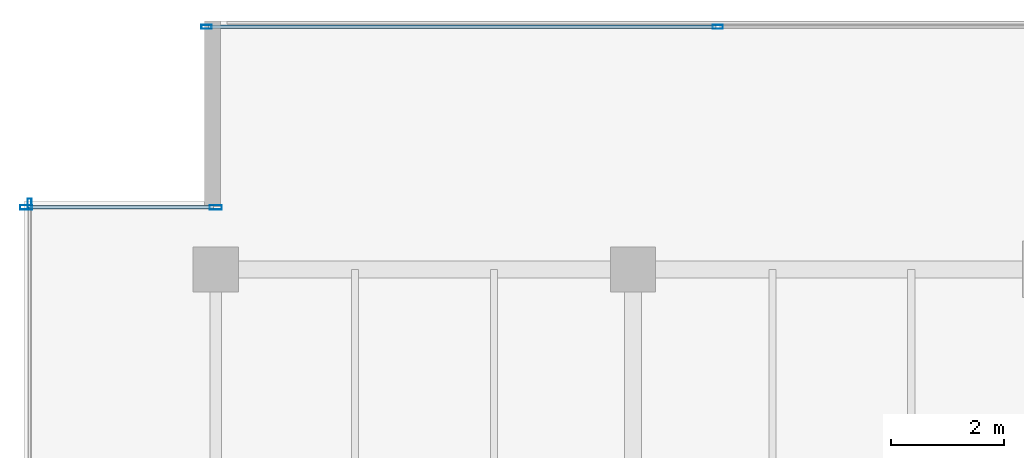
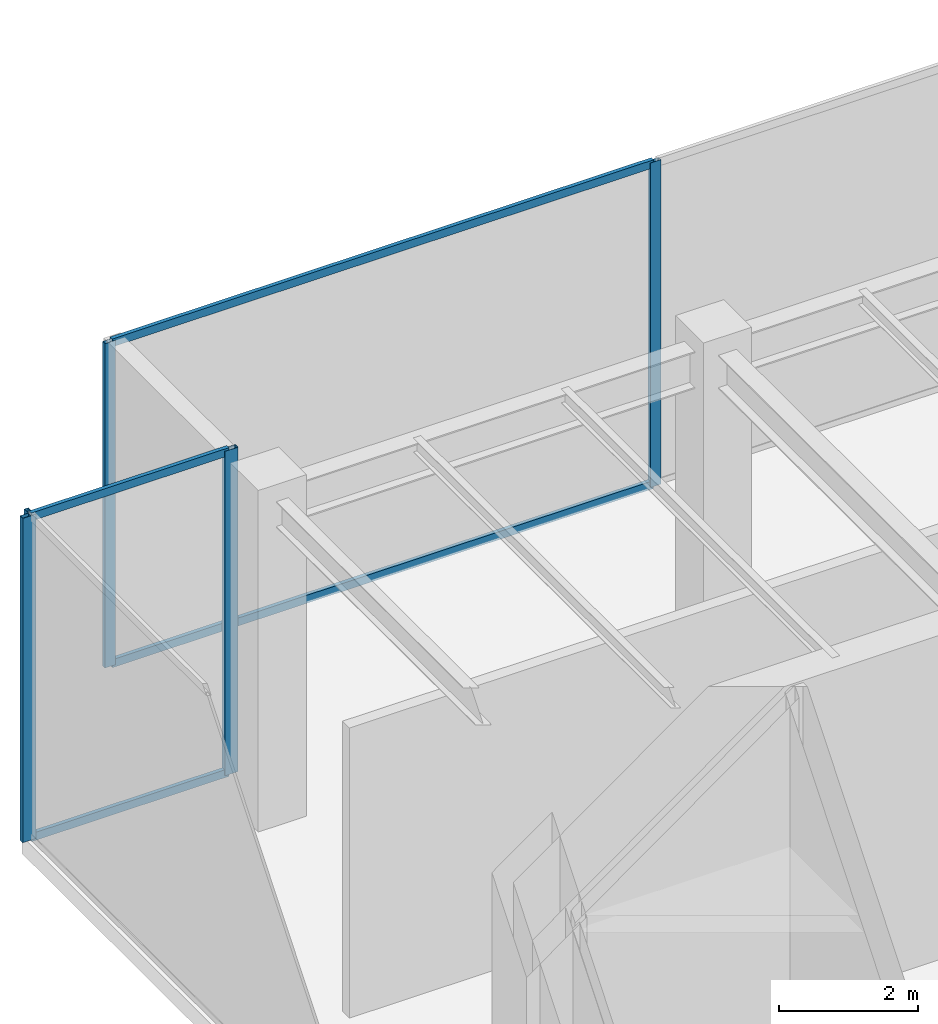
# One storey, part 13 of 30: 9 members, 3 elements without a shape of their own.
"""IFC4 building model written with IfcOpenShell, lengths in metres."""

from ifc_helpers import new_model, si_unit, direction, frame, origin, origin_2d, place, context, subcontext, project, spatial, hollow_rectangle, extrude, source, transform, mapped, material, layer, layer_set, material_profile, profile_set, type_object, type_shapes, element, aggregate, save


model = new_model("IFC4")

# Units and contexts
model_context = context("Model", 3, precision=1e-05, world=origin(), true_north=direction((0.0, 1.0)))
body_context = subcontext(model_context, "Body", "Model", "MODEL_VIEW")
ifc_project = project(units=[si_unit("LENGTHUNIT", "METRE"), si_unit("AREAUNIT", "SQUARE_METRE"), si_unit("VOLUMEUNIT", "CUBIC_METRE"), si_unit("PLANEANGLEUNIT", "RADIAN"), si_unit("MASSUNIT", "GRAM", prefix="KILO")], contexts=[model_context])

# Site, building, storey
site_placement = place(None, origin())
site = spatial("IfcSite", under=ifc_project, at=site_placement, CompositionType="ELEMENT")
building_placement = place(site_placement, origin())
building = spatial("IfcBuilding", under=site, at=building_placement, Name="Haelvirn Gate Laboratories", CompositionType="ELEMENT")
storey_placement = place(building_placement, frame((0.0, 0.0, 291.60009765625)))
storey = spatial("IfcBuildingStorey", under=building, at=storey_placement, Name="L70", CompositionType="ELEMENT", Elevation=291.60009765625)

# Curtain wall, members
ifc_material_1 = material(Name="Anodised bronze unitised aluminium & triple low-E glass", Category="aluminium")
ifc_layer_1 = layer(ifc_material_1, 0.181884765625, Name="CW-SYS-5")
ifc_layer_set_1 = layer_set([ifc_layer_1], Name="Anodised bronze unitised aluminium & triple low-E glass")
curtain_wall_type_1 = type_object("IfcCurtainWallType", Name="CW-SYS-5", PredefinedType="NOTDEFINED", material=ifc_layer_set_1)
curtain_wall_1_placement = place(storey_placement, origin())
curtain_wall_1 = element("IfcCurtainWall", 1, at=curtain_wall_1_placement, inside=storey, type_object=curtain_wall_type_1, Name="L70 Unitised Curtain Wall CW-L70-P0-E04-1", PredefinedType="NOTDEFINED")
ifc_material_2 = material(Name="Extruded aluminium 6063-T6 (anodised bronze)", Category="aluminium")
ifc_material_profile_1 = material_profile(ifc_material_2, hollow_rectangle(XDim=0.06494140625, YDim=0.139892578125, WallThickness=0.00390625, at=origin_2d()), Name="CWT-140x65x4")
ifc_profile_set_1 = profile_set([ifc_material_profile_1], Name="Extruded aluminium 6063-T6 (anodised bronze)")
member_type_1 = type_object("IfcMemberType", Name="CWT-T140", PredefinedType="USERDEFINED", material=ifc_profile_set_1)
shared_shape_1 = source(origin(), body_context, "Body", "SweptSolid", [
    extrude(hollow_rectangle(XDim=0.06494140625, YDim=0.139892578125, WallThickness=0.00390625, at=origin_2d()), origin(), (0.0, 0.0, 1.0), 3.280029296875),
])
member_1_placement = place(storey_placement, frame((4.080078125, 42.699951171875, 0.032470703125), z_axis=(1.0, 0.0, 0.0), x_axis=(0.0, 1.0, 0.0)))
member_1 = element("IfcMember", 2, at=member_1_placement, type_object=member_type_1, Name="CW5 transom 1.1", ObjectType="TRANSOM", PredefinedType="USERDEFINED", context=body_context, shape_type="MappedRepresentation", body=[
    mapped(shared_shape_1, transform((0.0, 0.0, 0.0), scale=1.0)),
])
member_2_placement = place(storey_placement, frame((4.080078125, 42.699951171875, 5.66748046875), z_axis=(1.0, 0.0, 0.0), x_axis=(0.0, 1.0, 0.0)))
member_2 = element("IfcMember", 3, at=member_2_placement, type_object=member_type_1, Name="CW5 transom 1.2", ObjectType="TRANSOM", PredefinedType="USERDEFINED", context=body_context, shape_type="MappedRepresentation", body=[
    mapped(shared_shape_1, transform((0.0, 0.0, 0.0), scale=1.0)),
])

ifc_layer_2 = layer(ifc_material_1, 0.176025390625, Name="CW-SYS-4")
ifc_layer_set_2 = layer_set([ifc_layer_2], Name="Anodised bronze unitised aluminium & triple low-E glass")
curtain_wall_type_2 = type_object("IfcCurtainWallType", Name="CW-SYS-4", PredefinedType="NOTDEFINED", material=ifc_layer_set_2)
curtain_wall_2_placement = place(storey_placement, origin())
curtain_wall_2 = element("IfcCurtainWall", 4, at=curtain_wall_2_placement, inside=storey, type_object=curtain_wall_type_2, Name="L70 Unitised Curtain Wall CW-L70-P0-E02-1", PredefinedType="NOTDEFINED")
shared_shape_2 = source(origin(), body_context, "Body", "SweptSolid", [
    extrude(hollow_rectangle(XDim=0.06494140625, YDim=0.139892578125, WallThickness=0.00390625, at=origin_2d()), origin(), (0.0, 0.0, 1.0), 8.994873046875),
])
type_shapes(member_type_1, [shared_shape_1, shared_shape_2])
member_3_placement = place(storey_placement, frame((7.27001953125, 45.89990234375, 0.032470703125), z_axis=(1.0, 0.0, 0.0), x_axis=(0.0, 1.0, 0.0)))
member_3 = element("IfcMember", 5, at=member_3_placement, type_object=member_type_1, Name="CW4 transom 1.1", ObjectType="TRANSOM", PredefinedType="USERDEFINED", context=body_context, shape_type="MappedRepresentation", body=[
    mapped(shared_shape_2, transform((0.0, 0.0, 0.0), scale=1.0)),
])
member_4_placement = place(storey_placement, frame((7.27001953125, 45.89990234375, 5.66748046875), z_axis=(1.0, 0.0, 0.0), x_axis=(0.0, 1.0, 0.0)))
member_4 = element("IfcMember", 6, at=member_4_placement, type_object=member_type_1, Name="CW4 transom 1.2", ObjectType="TRANSOM", PredefinedType="USERDEFINED", context=body_context, shape_type="MappedRepresentation", body=[
    mapped(shared_shape_2, transform((0.0, 0.0, 0.0), scale=1.0)),
])
ifc_material_profile_2 = material_profile(ifc_material_2, hollow_rectangle(XDim=0.070068359375, YDim=0.179931640625, WallThickness=0.0048828125, at=origin_2d()), Name="CWM-180x70x5")
ifc_profile_set_2 = profile_set([ifc_material_profile_2], Name="Extruded aluminium 6063-T6 (anodised bronze)")
member_type_2 = type_object("IfcMemberType", Name="CWM-T180", PredefinedType="MULLION", material=ifc_profile_set_2)
shared_shape_3 = source(origin(), body_context, "Body", "SweptSolid", [
    extrude(hollow_rectangle(XDim=0.070068359375, YDim=0.179931640625, WallThickness=0.0048828125, at=origin_2d()), origin(), (0.0, 0.0, 1.0), 5.699951171875),
])
type_shapes(member_type_2, [shared_shape_3])
member_5_placement = place(storey_placement, frame((7.235107421875, 45.89990234375, 0.0), z_axis=(0.0, 0.0, 1.0), x_axis=(0.0, 1.0, 0.0)))
member_5 = element("IfcMember", 7, at=member_5_placement, type_object=member_type_2, Name="CW4 mullion 1", PredefinedType="MULLION", context=body_context, shape_type="MappedRepresentation", body=[
    mapped(shared_shape_3, transform((0.0, 0.0, 0.0), scale=1.0)),
])
member_6_placement = place(storey_placement, frame((16.300048828125, 45.89990234375, 0.0), z_axis=(0.0, 0.0, 1.0), x_axis=(0.0, 1.0, 0.0)))
member_6 = element("IfcMember", 8, at=member_6_placement, type_object=member_type_2, Name="CW4 mullion 2", PredefinedType="MULLION", context=body_context, shape_type="MappedRepresentation", body=[
    mapped(shared_shape_3, transform((0.0, 0.0, 0.0), scale=1.0)),
])
aggregate(curtain_wall_2, [member_5, member_6, member_3, member_4])

# Curtain wall, member
curtain_wall_3_placement = place(storey_placement, origin())
curtain_wall_3 = element("IfcCurtainWall", 9, at=curtain_wall_3_placement, inside=storey, type_object=curtain_wall_type_2, Name="L70 Unitised Curtain Wall CW-L70-P0-E05", PredefinedType="NOTDEFINED")
member_7_placement = place(storey_placement, frame((4.10009765625, 42.764892578125, 0.0), z_axis=(0.0, 0.0, 1.0), x_axis=(1.0, 0.0, 0.0)))
member_7 = element("IfcMember", 10, at=member_7_placement, type_object=member_type_2, Name="CW4 mullion 1", PredefinedType="MULLION", context=body_context, shape_type="MappedRepresentation", body=[
    mapped(shared_shape_3, transform((0.0, 0.0, 0.0), scale=1.0)),
])
aggregate(curtain_wall_3, [member_7])

# Member
ifc_material_profile_3 = material_profile(ifc_material_2, hollow_rectangle(XDim=0.080078125, YDim=0.219970703125, WallThickness=0.006103515625, at=origin_2d()), Name="CWM-220x80x6")
ifc_profile_set_3 = profile_set([ifc_material_profile_3], Name="Extruded aluminium 6063-T6 (anodised bronze)")
member_type_3 = type_object("IfcMemberType", Name="CWM-T220", PredefinedType="MULLION", material=ifc_profile_set_3)
shared_shape_4 = source(origin(), body_context, "Body", "SweptSolid", [
    extrude(hollow_rectangle(XDim=0.080078125, YDim=0.219970703125, WallThickness=0.006103515625, at=origin_2d()), origin(), (0.0, 0.0, 1.0), 5.699951171875),
])
type_shapes(member_type_3, [shared_shape_4])
member_8_placement = place(storey_placement, frame((4.0400390625, 42.699951171875, 0.0), z_axis=(0.0, 0.0, 1.0), x_axis=(0.0, 1.0, 0.0)))
member_8 = element("IfcMember", 11, at=member_8_placement, type_object=member_type_3, Name="CW5 mullion 1", PredefinedType="MULLION", context=body_context, shape_type="MappedRepresentation", body=[
    mapped(shared_shape_4, transform((0.0, 0.0, 0.0), scale=1.0)),
])

member_9_placement = place(storey_placement, frame((7.39990234375, 42.699951171875, 0.0), z_axis=(0.0, 0.0, 1.0), x_axis=(0.0, 1.0, 0.0)))
member_9 = element("IfcMember", 12, at=member_9_placement, type_object=member_type_3, Name="CW5 mullion 2", PredefinedType="MULLION", context=body_context, shape_type="MappedRepresentation", body=[
    mapped(shared_shape_4, transform((0.0, 0.0, 0.0), scale=1.0)),
])

aggregate(curtain_wall_1, [member_8, member_9, member_1, member_2])

save(model, "model.ifc")
